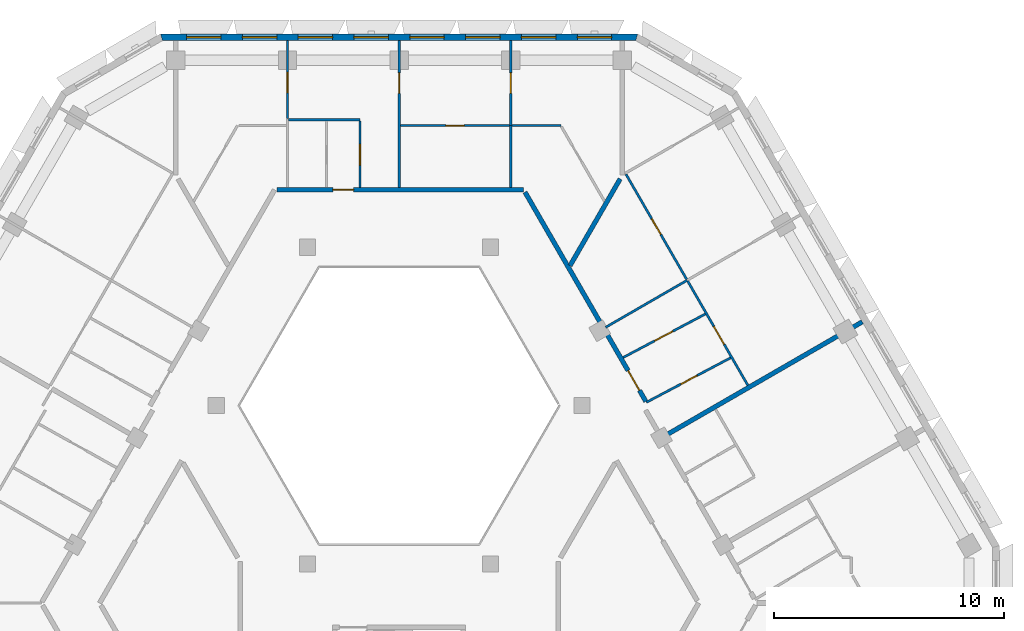
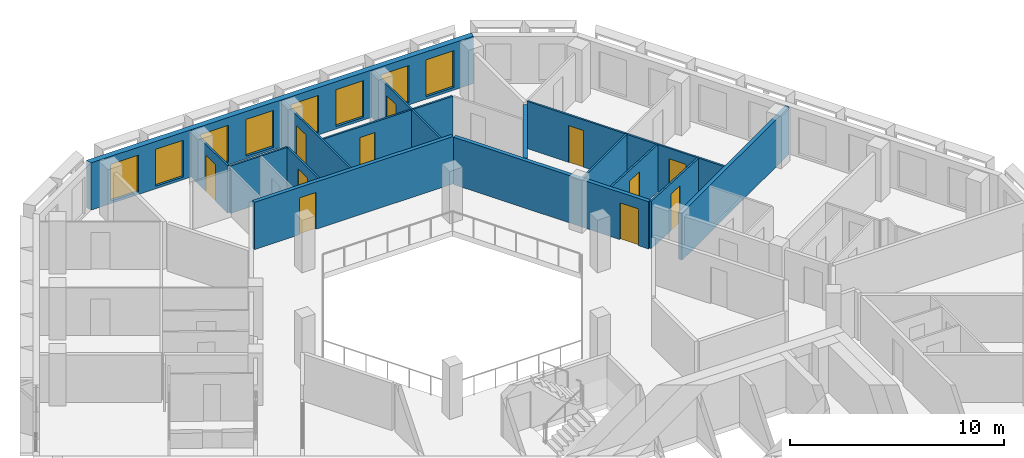
# One storey, part 8 of 18: 16 walls, 11 doors, 8 windows, 19 openings.
"""IFC4 building model written with IfcOpenShell, lengths in metres."""

import ifcopenshell
import ifcopenshell.guid

model = None  # the IFC model being written
_history = None  # IfcOwnerHistory: only IFC2X3 demands one
_inside = {}  # id of a spatial element -> (the spatial element, [elements in it])
_under = {}  # id of a project, library or spatial element -> (it, [spatial elements below it])
_declared = {}  # id of a project -> (the project, [libraries it declares])
_typed = {}  # id of a type object -> (the type object, [elements of that type])
_made_of = {}  # id of a material, layer set ... -> (it, [elements and type objects made of it])


def new_model(schema):
    """Start an empty IFC model of exactly this schema.

    Asked for "IFC4X3", IfcOpenShell would pick the latest addendum, in which some entities
    have other attributes; the version numbers below select the first issue.
    IFC2X3 requires an IfcOwnerHistory on every rooted entity: one is made here for all.
    """
    global model, _history
    if schema == "IFC4X3":
        model = ifcopenshell.file(schema_version=(4, 3, 0, 0))
    else:
        model = ifcopenshell.file(schema=schema)
    _inside.clear()
    _under.clear()
    _declared.clear()
    _typed.clear()
    _made_of.clear()
    _history = None
    if model.schema == "IFC2X3":
        org = make("IfcOrganization", Name="unknown")
        user = make(
            "IfcPersonAndOrganization",
            ThePerson=make("IfcPerson", FamilyName="unknown"),
            TheOrganization=org,
        )
        app = make(
            "IfcApplication",
            ApplicationDeveloper=org,
            Version="unknown",
            ApplicationFullName="unknown",
            ApplicationIdentifier="unknown",
        )
        _history = make(
            "IfcOwnerHistory",
            OwningUser=user,
            OwningApplication=app,
            ChangeAction="ADDED",
            CreationDate=0,
        )
    return model


def make(cls, **values):
    """One entity of the class cls with the attributes given. An attribute that is None is left unset."""
    return model.create_entity(
        cls, **{name: value for name, value in values.items() if value is not None}
    )


def rooted(cls, **values):
    """An entity with a GlobalId (a new one), such as an element, a storey or a relation."""
    return make(cls, GlobalId=ifcopenshell.guid.new(), OwnerHistory=_history, **values)


def si_unit(unit_type, name, prefix=None):
    """IfcSIUnit, for example si_unit("LENGTHUNIT", "METRE", prefix="MILLI")."""
    return make("IfcSIUnit", UnitType=unit_type, Prefix=prefix, Name=name)


def assignment(units):
    """IfcUnitAssignment: the units of a project."""
    return None if units is None else make("IfcUnitAssignment", Units=units)


def point(xyz):
    """IfcCartesianPoint."""
    return None if xyz is None else make("IfcCartesianPoint", Coordinates=xyz)


def direction(xyz):
    """IfcDirection."""
    return None if xyz is None else make("IfcDirection", DirectionRatios=xyz)


def frame(location, z_axis=None, x_axis=None):
    """IfcAxis2Placement3D, a coordinate frame: its origin and axes. An axis left out is left unset."""
    return make(
        "IfcAxis2Placement3D",
        Location=point(location),
        Axis=direction(z_axis),
        RefDirection=direction(x_axis),
    )


def frame_2d(location, x_axis=None):
    """IfcAxis2Placement2D, a coordinate frame in the plane: its origin and x axis."""
    return make(
        "IfcAxis2Placement2D", Location=point(location), RefDirection=direction(x_axis)
    )


def origin():
    """The frame at (0, 0, 0) with its axes left unset."""
    return frame((0.0, 0.0, 0.0))


def place(relative_to, where):
    """IfcLocalPlacement: puts the frame where relative to a parent placement (None: the world)."""
    return make(
        "IfcLocalPlacement", PlacementRelTo=relative_to, RelativePlacement=where
    )


def context(
    kind, dimensions, precision=None, world=None, true_north=None, identifier=None
):
    """IfcGeometricRepresentationContext, for example the 3D "Model" context."""
    return make(
        "IfcGeometricRepresentationContext",
        ContextIdentifier=identifier,
        ContextType=kind,
        CoordinateSpaceDimension=dimensions,
        Precision=precision,
        WorldCoordinateSystem=world,
        TrueNorth=true_north,
    )


def subcontext(parent, identifier, kind, view, scale=None):
    """IfcGeometricRepresentationSubContext, for example "Body" below "Model"."""
    return make(
        "IfcGeometricRepresentationSubContext",
        ContextIdentifier=identifier,
        ContextType=kind,
        ParentContext=parent,
        TargetScale=scale,
        TargetView=view,
    )


def project(units=None, contexts=None):
    """IfcProject with its units and contexts."""
    return rooted(
        "IfcProject",
        Name="project",
        RepresentationContexts=contexts,
        UnitsInContext=assignment(units),
    )


def spatial(cls, under=None, at=None, **own):
    """A site, building, storey or space (cls), placed at a placement, below another one or the project."""
    s = rooted(cls, ObjectPlacement=at, **own)
    if under is not None:
        _under.setdefault(under.id(), (under, []))[1].append(s)
    return s


def polyline(points):
    """IfcPolyline through the points."""
    return make("IfcPolyline", Points=[point(p) for p in points])


def profile(cls, at=None, kind="AREA", **sizes):
    """A parametric profile (cls). Its sizes go by their IFC names, for example OverallWidth=200.0."""
    return make(cls, ProfileType=kind, Position=at, **sizes)


def rectangle(**sizes):
    """IfcRectangleProfileDef."""
    return profile("IfcRectangleProfileDef", **sizes)


def outline(outer, holes=None, kind="AREA"):
    """IfcArbitraryClosedProfileDef: a profile drawn as a closed curve; with holes, ...WithVoids."""
    if holes is None:
        return make("IfcArbitraryClosedProfileDef", ProfileType=kind, OuterCurve=outer)
    return make(
        "IfcArbitraryProfileDefWithVoids",
        ProfileType=kind,
        OuterCurve=outer,
        InnerCurves=holes,
    )


def extrude(swept, where, along, depth):
    """IfcExtrudedAreaSolid: the profile swept, set in the frame where, extruded along a direction by depth."""
    return make(
        "IfcExtrudedAreaSolid",
        SweptArea=swept,
        Position=where,
        ExtrudedDirection=direction(along),
        Depth=depth,
    )


def shape(context_of_items, identifier, shape_type, items):
    """IfcShapeRepresentation: the items that make up one representation, for example the "Body"."""
    return make(
        "IfcShapeRepresentation",
        ContextOfItems=context_of_items,
        RepresentationIdentifier=identifier,
        RepresentationType=shape_type,
        Items=items,
    )


def material(Name=None, Category=None):
    """IfcMaterial."""
    return make("IfcMaterial", Name=Name, Category=Category)


def layer(
    of_material, thickness, ventilated=None, Name=None, Category=None, Priority=None
):
    """IfcMaterialLayer: one layer of a wall or slab, of a material (None: an air gap)."""
    return make(
        "IfcMaterialLayer",
        Material=of_material,
        LayerThickness=thickness,
        IsVentilated=ventilated,
        Name=Name,
        Category=Category,
        Priority=Priority,
    )


def layer_set(layers, Name=None):
    """IfcMaterialLayerSet."""
    return make("IfcMaterialLayerSet", MaterialLayers=layers, LayerSetName=Name)


def made_of(thing, what):
    """Note that an element or type object is made of a material, layer set ...; save() writes the relation."""
    if what is not None:
        _made_of.setdefault(what.id(), (what, []))[1].append(thing)
    return thing


def type_object(cls, material=None, **own):
    """A type object (cls), such as IfcWallType, which elements share."""
    return made_of(rooted(cls, **own), material)


def element(
    cls,
    number,
    at=None,
    inside=None,
    cuts=None,
    type_object=None,
    material=None,
    context=None,
    identifier="Body",
    shape_type=None,
    held_by="IfcProductDefinitionShape",
    body=None,
    shapes=None,
    **own,
):
    """One element of the class cls, such as IfcWall. Its Tag is "e" and its number.

    at: its placement. inside: the storey or other place that contains it. cuts: it is an
    opening in that element (IfcRelVoidsElement). A single representation is given by context,
    identifier, shape_type and body (its items); several are given by shapes. held_by: the class
    of the entity that holds the representations. save() writes the other relations.
    """
    e = rooted(cls, Tag="e%d" % number, ObjectPlacement=at, **own)
    if body is not None:
        shapes = [shape(context, identifier, shape_type, body)]
    if shapes is not None:
        e.Representation = make(held_by, Representations=shapes)
    if inside is not None:
        _inside.setdefault(inside.id(), (inside, []))[1].append(e)
    if cuts is not None:
        rooted(
            "IfcRelVoidsElement", RelatingBuildingElement=cuts, RelatedOpeningElement=e
        )
    if type_object is not None:
        _typed.setdefault(type_object.id(), (type_object, []))[1].append(e)
    return made_of(e, material)


def fill(opening, filler):
    """IfcRelFillsElement: the door or window that sits in an opening."""
    return rooted(
        "IfcRelFillsElement",
        RelatingOpeningElement=opening,
        RelatedBuildingElement=filler,
    )


def aggregate(whole, parts):
    """IfcRelAggregates: a whole, such as a stair, and the parts it consists of."""
    return rooted("IfcRelAggregates", RelatingObject=whole, RelatedObjects=parts)


def save(model, path):
    """Write the relations noted so far, then the file.

    IfcRelAggregates (storeys below a building ...), IfcRelContainedInSpatialStructure (elements
    in a storey), IfcRelDefinesByType, IfcRelAssociatesMaterial and IfcRelDeclares: one each for
    every whole, place, type object, material and project.
    """
    for whole, parts in _under.values():
        aggregate(whole, parts)
    for where, things in _inside.values():
        rooted(
            "IfcRelContainedInSpatialStructure",
            RelatedElements=things,
            RelatingStructure=where,
        )
    for kind, things in _typed.values():
        rooted("IfcRelDefinesByType", RelatedObjects=things, RelatingType=kind)
    for what, things in _made_of.values():
        rooted("IfcRelAssociatesMaterial", RelatedObjects=things, RelatingMaterial=what)
    for by, libraries in _declared.values():
        rooted("IfcRelDeclares", RelatingContext=by, RelatedDefinitions=libraries)
    model.write(path)


model = new_model("IFC4")

# Units and contexts
model_context = context("Model", 3, precision=1e-05, world=origin(), true_north=direction((0.0, 1.0)))
body_context = subcontext(model_context, "Body", "Model", "MODEL_VIEW")
ifc_project = project(units=[si_unit("LENGTHUNIT", "METRE"), si_unit("AREAUNIT", "SQUARE_METRE"), si_unit("VOLUMEUNIT", "CUBIC_METRE"), si_unit("PLANEANGLEUNIT", "RADIAN"), si_unit("MASSUNIT", "GRAM", prefix="KILO")], contexts=[model_context])

# Site, building, storey
site_placement = place(None, origin())
site = spatial("IfcSite", under=ifc_project, at=site_placement, CompositionType="ELEMENT")
building_placement = place(site_placement, origin())
building = spatial("IfcBuilding", under=site, at=building_placement, Name="Beryl Residences", CompositionType="ELEMENT")
storey_placement = place(building_placement, frame((0.0, 0.0, 184.199951171875)))
storey = spatial("IfcBuildingStorey", under=building, at=storey_placement, Name="L56", CompositionType="ELEMENT", Elevation=184.199951171875)

# Wall, openings, windows
ifc_material_1 = material(Name="Composite metal panel with mineral wool insulation")
ifc_layer_1 = layer(ifc_material_1, 0.300048828125)
ifc_layer_set_1 = layer_set([ifc_layer_1], Name="ES1 pale metal composite panel wall 300 mm")
wall_type_1 = type_object("IfcWallType", Name="ES1 pale metal composite panel wall 300 mm", PredefinedType="SOLIDWALL", material=ifc_layer_set_1)
wall_1_placement = place(storey_placement, frame((10.39208984375, 24.050048828125, 0.0), z_axis=(0.0, 0.0, 1.0), x_axis=(-1.0, 0.0, 0.0)))
wall_1 = element("IfcWall", 1, at=wall_1_placement, inside=storey, type_object=wall_type_1, Name="ES1 external wall L56 N", PredefinedType="SOLIDWALL", context=body_context, shape_type="SweptSolid", body=[
    extrude(outline(polyline([(0.0, -0.14990234375), (20.7841796875, -0.14990234375), (20.703857421875, 0.14990234375), (0.080322265625, 0.14990234375), (0.0, -0.14990234375)])), origin(), (0.0, 0.0, 1.0), 2.699951171875),
])
opening_1_placement = place(wall_1_placement, frame((1.1298828125, 0.0, 0.14990234375)))
opening_1 = element("IfcOpeningElement", 2, at=opening_1_placement, cuts=wall_1, Name="Opening W1", PredefinedType="OPENING", context=body_context, shape_type="SweptSolid", body=[
    extrude(rectangle(XDim=1.5, YDim=2.10009765625, at=frame_2d((0.75, 1.050048828125))), frame((0.0, 0.159912109375, 0.0), z_axis=(0.0, -1.0, 0.0), x_axis=(1.0, 0.0, 0.0)), (0.0, 0.0, 1.0), 0.320068359375),
])
opening_2_placement = place(wall_1_placement, frame((3.56201171875, 0.0, 0.14990234375)))
opening_2 = element("IfcOpeningElement", 3, at=opening_2_placement, cuts=wall_1, Name="Opening W1", PredefinedType="OPENING", context=body_context, shape_type="SweptSolid", body=[
    extrude(rectangle(XDim=1.5, YDim=2.10009765625, at=frame_2d((0.75, 1.050048828125))), frame((0.0, 0.159912109375, 0.0), z_axis=(0.0, -1.0, 0.0), x_axis=(1.0, 0.0, 0.0)), (0.0, 0.0, 1.0), 0.320068359375),
])
opening_3_placement = place(wall_1_placement, frame((5.993896484375, 0.0, 0.14990234375)))
opening_3 = element("IfcOpeningElement", 4, at=opening_3_placement, cuts=wall_1, Name="Opening W1", PredefinedType="OPENING", context=body_context, shape_type="SweptSolid", body=[
    extrude(rectangle(XDim=1.5, YDim=2.10009765625, at=frame_2d((0.75, 1.050048828125))), frame((0.0, 0.159912109375, 0.0), z_axis=(0.0, -1.0, 0.0), x_axis=(1.0, 0.0, 0.0)), (0.0, 0.0, 1.0), 0.320068359375),
])
opening_4_placement = place(wall_1_placement, frame((8.426025390625, 0.0, 0.14990234375)))
opening_4 = element("IfcOpeningElement", 5, at=opening_4_placement, cuts=wall_1, Name="Opening W1", PredefinedType="OPENING", context=body_context, shape_type="SweptSolid", body=[
    extrude(rectangle(XDim=1.5, YDim=2.10009765625, at=frame_2d((0.75, 1.050048828125))), frame((0.0, 0.159912109375, 0.0), z_axis=(0.0, -1.0, 0.0), x_axis=(1.0, 0.0, 0.0)), (0.0, 0.0, 1.0), 0.320068359375),
])
opening_5_placement = place(wall_1_placement, frame((10.85791015625, 0.0, 0.14990234375)))
opening_5 = element("IfcOpeningElement", 6, at=opening_5_placement, cuts=wall_1, Name="Opening W1", PredefinedType="OPENING", context=body_context, shape_type="SweptSolid", body=[
    extrude(rectangle(XDim=1.5, YDim=2.10009765625, at=frame_2d((0.75, 1.050048828125))), frame((0.0, 0.159912109375, 0.0), z_axis=(0.0, -1.0, 0.0), x_axis=(1.0, 0.0, 0.0)), (0.0, 0.0, 1.0), 0.320068359375),
])
opening_6_placement = place(wall_1_placement, frame((13.2900390625, 0.0, 0.14990234375)))
opening_6 = element("IfcOpeningElement", 7, at=opening_6_placement, cuts=wall_1, Name="Opening W1", PredefinedType="OPENING", context=body_context, shape_type="SweptSolid", body=[
    extrude(rectangle(XDim=1.5, YDim=2.10009765625, at=frame_2d((0.75, 1.050048828125))), frame((0.0, 0.159912109375, 0.0), z_axis=(0.0, -1.0, 0.0), x_axis=(1.0, 0.0, 0.0)), (0.0, 0.0, 1.0), 0.320068359375),
])
opening_7_placement = place(wall_1_placement, frame((15.721923828125, 0.0, 0.14990234375)))
opening_7 = element("IfcOpeningElement", 8, at=opening_7_placement, cuts=wall_1, Name="Opening W1", PredefinedType="OPENING", context=body_context, shape_type="SweptSolid", body=[
    extrude(rectangle(XDim=1.5, YDim=2.10009765625, at=frame_2d((0.75, 1.050048828125))), frame((0.0, 0.159912109375, 0.0), z_axis=(0.0, -1.0, 0.0), x_axis=(1.0, 0.0, 0.0)), (0.0, 0.0, 1.0), 0.320068359375),
])
opening_8_placement = place(wall_1_placement, frame((18.154052734375, 0.0, 0.14990234375)))
opening_8 = element("IfcOpeningElement", 9, at=opening_8_placement, cuts=wall_1, Name="Opening W1", PredefinedType="OPENING", context=body_context, shape_type="SweptSolid", body=[
    extrude(rectangle(XDim=1.5, YDim=2.10009765625, at=frame_2d((0.75, 1.050048828125))), frame((0.0, 0.159912109375, 0.0), z_axis=(0.0, -1.0, 0.0), x_axis=(1.0, 0.0, 0.0)), (0.0, 0.0, 1.0), 0.320068359375),
])
ifc_material_2 = material(Name="Aluminium and clear glass", Category="aluminium")
window_type = type_object("IfcWindowType", Name="W1 cell window 1500 x 2100 mm", PartitioningType="SINGLE_PANEL", PredefinedType="WINDOW", material=ifc_material_2)
window_1_placement = place(opening_1_placement, origin())
window_1 = element("IfcWindow", 10, at=window_1_placement, inside=storey, type_object=window_type, Name="W1 window L56 N 1", OverallHeight=2.10009765625, OverallWidth=1.5, PartitioningType="SINGLE_PANEL", PredefinedType="WINDOW", context=body_context, shape_type="SweptSolid", body=[
    extrude(rectangle(XDim=1.5, YDim=2.10009765625, at=frame_2d((0.75, 1.050048828125))), frame((0.0, 0.030029296875, 0.0), z_axis=(0.0, -1.0, 0.0), x_axis=(1.0, 0.0, 0.0)), (0.0, 0.0, 1.0), 0.06005859375),
])
fill(opening_1, window_1)
window_2_placement = place(opening_2_placement, origin())
window_2 = element("IfcWindow", 11, at=window_2_placement, inside=storey, type_object=window_type, Name="W1 window L56 N 2", OverallHeight=2.10009765625, OverallWidth=1.5, PartitioningType="SINGLE_PANEL", PredefinedType="WINDOW", context=body_context, shape_type="SweptSolid", body=[
    extrude(rectangle(XDim=1.5, YDim=2.10009765625, at=frame_2d((0.75, 1.050048828125))), frame((0.0, 0.030029296875, 0.0), z_axis=(0.0, -1.0, 0.0), x_axis=(1.0, 0.0, 0.0)), (0.0, 0.0, 1.0), 0.06005859375),
])
fill(opening_2, window_2)
window_3_placement = place(opening_3_placement, origin())
window_3 = element("IfcWindow", 12, at=window_3_placement, inside=storey, type_object=window_type, Name="W1 window L56 N 3", OverallHeight=2.10009765625, OverallWidth=1.5, PartitioningType="SINGLE_PANEL", PredefinedType="WINDOW", context=body_context, shape_type="SweptSolid", body=[
    extrude(rectangle(XDim=1.5, YDim=2.10009765625, at=frame_2d((0.75, 1.050048828125))), frame((0.0, 0.030029296875, 0.0), z_axis=(0.0, -1.0, 0.0), x_axis=(1.0, 0.0, 0.0)), (0.0, 0.0, 1.0), 0.06005859375),
])
fill(opening_3, window_3)
window_4_placement = place(opening_4_placement, origin())
window_4 = element("IfcWindow", 13, at=window_4_placement, inside=storey, type_object=window_type, Name="W1 window L56 N 4", OverallHeight=2.10009765625, OverallWidth=1.5, PartitioningType="SINGLE_PANEL", PredefinedType="WINDOW", context=body_context, shape_type="SweptSolid", body=[
    extrude(rectangle(XDim=1.5, YDim=2.10009765625, at=frame_2d((0.75, 1.050048828125))), frame((0.0, 0.030029296875, 0.0), z_axis=(0.0, -1.0, 0.0), x_axis=(1.0, 0.0, 0.0)), (0.0, 0.0, 1.0), 0.06005859375),
])
fill(opening_4, window_4)
window_5_placement = place(opening_5_placement, origin())
window_5 = element("IfcWindow", 14, at=window_5_placement, inside=storey, type_object=window_type, Name="W1 window L56 N 5", OverallHeight=2.10009765625, OverallWidth=1.5, PartitioningType="SINGLE_PANEL", PredefinedType="WINDOW", context=body_context, shape_type="SweptSolid", body=[
    extrude(rectangle(XDim=1.5, YDim=2.10009765625, at=frame_2d((0.75, 1.050048828125))), frame((0.0, 0.030029296875, 0.0), z_axis=(0.0, -1.0, 0.0), x_axis=(1.0, 0.0, 0.0)), (0.0, 0.0, 1.0), 0.06005859375),
])
fill(opening_5, window_5)
window_6_placement = place(opening_6_placement, origin())
window_6 = element("IfcWindow", 15, at=window_6_placement, inside=storey, type_object=window_type, Name="W1 window L56 N 6", OverallHeight=2.10009765625, OverallWidth=1.5, PartitioningType="SINGLE_PANEL", PredefinedType="WINDOW", context=body_context, shape_type="SweptSolid", body=[
    extrude(rectangle(XDim=1.5, YDim=2.10009765625, at=frame_2d((0.75, 1.050048828125))), frame((0.0, 0.030029296875, 0.0), z_axis=(0.0, -1.0, 0.0), x_axis=(1.0, 0.0, 0.0)), (0.0, 0.0, 1.0), 0.06005859375),
])
fill(opening_6, window_6)
window_7_placement = place(opening_7_placement, origin())
window_7 = element("IfcWindow", 16, at=window_7_placement, inside=storey, type_object=window_type, Name="W1 window L56 N 7", OverallHeight=2.10009765625, OverallWidth=1.5, PartitioningType="SINGLE_PANEL", PredefinedType="WINDOW", context=body_context, shape_type="SweptSolid", body=[
    extrude(rectangle(XDim=1.5, YDim=2.10009765625, at=frame_2d((0.75, 1.050048828125))), frame((0.0, 0.030029296875, 0.0), z_axis=(0.0, -1.0, 0.0), x_axis=(1.0, 0.0, 0.0)), (0.0, 0.0, 1.0), 0.06005859375),
])
fill(opening_7, window_7)
window_8_placement = place(opening_8_placement, origin())
window_8 = element("IfcWindow", 17, at=window_8_placement, inside=storey, type_object=window_type, Name="W1 window L56 N 8", OverallHeight=2.10009765625, OverallWidth=1.5, PartitioningType="SINGLE_PANEL", PredefinedType="WINDOW", context=body_context, shape_type="SweptSolid", body=[
    extrude(rectangle(XDim=1.5, YDim=2.10009765625, at=frame_2d((0.75, 1.050048828125))), frame((0.0, 0.030029296875, 0.0), z_axis=(0.0, -1.0, 0.0), x_axis=(1.0, 0.0, 0.0)), (0.0, 0.0, 1.0), 0.06005859375),
])
fill(opening_8, window_8)

# Wall, openings, doors
ifc_material_3 = material(Name="Gypsum board partition on steel studs", Category="steel")
ifc_layer_2 = layer(ifc_material_3, 0.10009765625)
ifc_layer_set_2 = layer_set([ifc_layer_2], Name="PT1 partition 100 mm gypsum board on steel studs")
wall_type_2 = type_object("IfcWallType", Name="PT1 partition 100 mm gypsum board on steel studs", PredefinedType="PARTITIONING", material=ifc_layer_set_2)
wall_2_placement = place(storey_placement, frame((9.883056640625, 18.08203125, 0.0), z_axis=(0.0, 0.0, 1.0), x_axis=(0.500004428835, -0.86602284678, 0.0)))
wall_2 = element("IfcWall", 18, at=wall_2_placement, inside=storey, type_object=wall_type_2, Name="Wall PT1 L56 006", PredefinedType="PARTITIONING", context=body_context, shape_type="SweptSolid", body=[
    extrude(rectangle(XDim=10.61767578125, YDim=0.10009765625, at=frame_2d((5.308837890625, 0.0))), origin(), (0.0, 0.0, 1.0), 2.699951171875),
])
opening_9_placement = place(wall_2_placement, frame((7.656982421875, 0.0, 0.0)))
opening_9 = element("IfcOpeningElement", 19, at=opening_9_placement, cuts=wall_2, Name="Opening D1504", PredefinedType="OPENING", context=body_context, shape_type="SweptSolid", body=[
    extrude(rectangle(XDim=0.89990234375, YDim=2.10009765625, at=frame_2d((0.449951171875, 1.050048828125))), frame((0.0, 0.06005859375, 0.0), z_axis=(0.0, -1.0, 0.0), x_axis=(1.0, 0.0, 0.0)), (0.0, 0.0, 1.0), 0.1201171875),
])
opening_10_placement = place(wall_2_placement, frame((2.241943359375, 0.0, 0.0)))
opening_10 = element("IfcOpeningElement", 20, at=opening_10_placement, cuts=wall_2, Name="Opening D1507", PredefinedType="OPENING", context=body_context, shape_type="SweptSolid", body=[
    extrude(rectangle(XDim=0.800048828125, YDim=2.10009765625, at=frame_2d((0.39990234375, 1.050048828125))), frame((0.0, 0.06005859375, 0.0), z_axis=(0.0, -1.0, 0.0), x_axis=(1.0, 0.0, 0.0)), (0.0, 0.0, 1.0), 0.1201171875),
])
ifc_material_4 = material(Name="Timber door leaf", Category="wood")
door_type_1 = type_object("IfcDoorType", Name="D2 room door 900 x 2100 mm", OperationType="SINGLE_SWING_LEFT", PredefinedType="DOOR", material=ifc_material_4)
door_1_placement = place(opening_9_placement, origin())
door_1 = element("IfcDoor", 21, at=door_1_placement, inside=storey, type_object=door_type_1, Name="Door D1504 L56 001", OperationType="SINGLE_SWING_RIGHT", OverallHeight=2.10009765625, OverallWidth=0.89990234375, PredefinedType="DOOR", context=body_context, shape_type="SweptSolid", body=[
    extrude(rectangle(XDim=0.89990234375, YDim=2.10009765625, at=frame_2d((0.449951171875, 1.050048828125))), frame((0.0, 0.02490234375, 0.0), z_axis=(0.0, -1.0, 0.0), x_axis=(1.0, 0.0, 0.0)), (0.0, 0.0, 1.0), 0.050048828125),
])
fill(opening_9, door_1)
ifc_material_5 = material(Name="Timber door leaf", Category="wood")
door_type_2 = type_object("IfcDoorType", Name="D3 bathroom door 800 x 2100 mm", OperationType="SINGLE_SWING_LEFT", PredefinedType="DOOR", material=ifc_material_5)
door_2_placement = place(opening_10_placement, origin())
door_2 = element("IfcDoor", 22, at=door_2_placement, inside=storey, type_object=door_type_2, Name="Door D1507 L56 001", OperationType="SINGLE_SWING_LEFT", OverallHeight=2.10009765625, OverallWidth=0.800048828125, PredefinedType="DOOR", context=body_context, shape_type="SweptSolid", body=[
    extrude(rectangle(XDim=0.800048828125, YDim=2.10009765625, at=frame_2d((0.39990234375, 1.050048828125))), frame((0.0, 0.02490234375, 0.0), z_axis=(0.0, -1.0, 0.0), x_axis=(1.0, 0.0, 0.0)), (0.0, 0.0, 1.0), 0.050048828125),
])
fill(opening_10, door_2)

# Wall, opening, door
wall_3_placement = place(storey_placement, frame((-4.864013671875, 23.89990234375, 0.0), z_axis=(0.0, 0.0, 1.0), x_axis=(0.0, -1.0, 0.0)))
wall_3 = element("IfcWall", 23, at=wall_3_placement, inside=storey, type_object=wall_type_2, Name="Wall PT1 L56 007", PredefinedType="PARTITIONING", context=body_context, shape_type="SweptSolid", body=[
    extrude(rectangle(XDim=3.389892578125, YDim=0.10009765625, at=frame_2d((1.69482421875, 0.0))), origin(), (0.0, 0.0, 1.0), 2.699951171875),
])
opening_11_placement = place(wall_3_placement, frame((1.3701171875, 0.0, 0.0)))
opening_11 = element("IfcOpeningElement", 24, at=opening_11_placement, cuts=wall_3, Name="Opening D1512", PredefinedType="OPENING", context=body_context, shape_type="SweptSolid", body=[
    extrude(rectangle(XDim=0.89990234375, YDim=2.10009765625, at=frame_2d((0.449951171875, 1.050048828125))), frame((0.0, 0.06005859375, 0.0), z_axis=(0.0, -1.0, 0.0), x_axis=(1.0, 0.0, 0.0)), (0.0, 0.0, 1.0), 0.1201171875),
])
door_3_placement = place(opening_11_placement, origin())
door_3 = element("IfcDoor", 25, at=door_3_placement, inside=storey, type_object=door_type_1, Name="Door D1512 L56 001", OperationType="SINGLE_SWING_RIGHT", OverallHeight=2.10009765625, OverallWidth=0.89990234375, PredefinedType="DOOR", context=body_context, shape_type="SweptSolid", body=[
    extrude(rectangle(XDim=0.89990234375, YDim=2.10009765625, at=frame_2d((0.449951171875, 1.050048828125))), frame((0.0, 0.02490234375, 0.0), z_axis=(0.0, -1.0, 0.0), x_axis=(1.0, 0.0, 0.0)), (0.0, 0.0, 1.0), 0.050048828125),
])
fill(opening_11, door_3)

wall_4_placement = place(storey_placement, frame((-1.701904296875, 20.408935546875, 0.0), z_axis=(0.0, 0.0, 1.0), x_axis=(0.0, -1.0, 0.0)))
wall_4 = element("IfcWall", 26, at=wall_4_placement, inside=storey, type_object=wall_type_2, Name="Wall PT1 L56 008", PredefinedType="PARTITIONING", context=body_context, shape_type="SweptSolid", body=[
    extrude(rectangle(XDim=2.908935546875, YDim=0.10009765625, at=frame_2d((1.45458984375, 0.0))), origin(), (0.0, 0.0, 1.0), 2.699951171875),
])
opening_12_placement = place(wall_4_placement, frame((1.029052734375, 0.0, 0.0)))
opening_12 = element("IfcOpeningElement", 27, at=opening_12_placement, cuts=wall_4, Name="Opening D1509", PredefinedType="OPENING", context=body_context, shape_type="SweptSolid", body=[
    extrude(rectangle(XDim=0.89990234375, YDim=2.10009765625, at=frame_2d((0.449951171875, 1.050048828125))), frame((0.0, 0.06005859375, 0.0), z_axis=(0.0, -1.0, 0.0), x_axis=(1.0, 0.0, 0.0)), (0.0, 0.0, 1.0), 0.1201171875),
])
door_4_placement = place(opening_12_placement, origin())
door_4 = element("IfcDoor", 28, at=door_4_placement, inside=storey, type_object=door_type_1, Name="Door D1509 L56 001", OperationType="SINGLE_SWING_LEFT", OverallHeight=2.10009765625, OverallWidth=0.89990234375, PredefinedType="DOOR", context=body_context, shape_type="SweptSolid", body=[
    extrude(rectangle(XDim=0.89990234375, YDim=2.10009765625, at=frame_2d((0.449951171875, 1.050048828125))), frame((0.0, 0.02490234375, 0.0), z_axis=(0.0, -1.0, 0.0), x_axis=(1.0, 0.0, 0.0)), (0.0, 0.0, 1.0), 0.050048828125),
])
fill(opening_12, door_4)

wall_5_placement = place(storey_placement, frame((0.050048828125, 20.199951171875, 0.0), z_axis=(0.0, 0.0, 1.0), x_axis=(1.0, 0.0, 0.0)))
wall_5 = element("IfcWall", 29, at=wall_5_placement, inside=storey, type_object=wall_type_2, Name="Wall PT1 L56 024", PredefinedType="PARTITIONING", context=body_context, shape_type="SweptSolid", body=[
    extrude(rectangle(XDim=6.992919921875, YDim=0.10009765625, at=frame_2d((3.49658203125, 0.0))), origin(), (0.0, 0.0, 1.0), 2.699951171875),
])
opening_13_placement = place(wall_5_placement, frame((1.98193359375, 0.0, 0.0)))
opening_13 = element("IfcOpeningElement", 30, at=opening_13_placement, cuts=wall_5, Name="Opening D1515", PredefinedType="OPENING", context=body_context, shape_type="SweptSolid", body=[
    extrude(rectangle(XDim=0.800048828125, YDim=2.10009765625, at=frame_2d((0.39990234375, 1.050048828125))), frame((0.0, 0.06005859375, 0.0), z_axis=(0.0, -1.0, 0.0), x_axis=(1.0, 0.0, 0.0)), (0.0, 0.0, 1.0), 0.1201171875),
])
door_5_placement = place(opening_13_placement, origin())
door_5 = element("IfcDoor", 31, at=door_5_placement, inside=storey, type_object=door_type_2, Name="Door D1515 L56 001", OperationType="SINGLE_SWING_LEFT", OverallHeight=2.10009765625, OverallWidth=0.800048828125, PredefinedType="DOOR", context=body_context, shape_type="SweptSolid", body=[
    extrude(rectangle(XDim=0.800048828125, YDim=2.10009765625, at=frame_2d((0.39990234375, 1.050048828125))), frame((0.0, 0.02490234375, 0.0), z_axis=(0.0, -1.0, 0.0), x_axis=(1.0, 0.0, 0.0)), (0.0, 0.0, 1.0), 0.050048828125),
])
fill(opening_13, door_5)

# Walls
wall_6_placement = place(storey_placement, frame((-4.81396484375, 20.4599609375, 0.0), z_axis=(0.0, 0.0, 1.0), x_axis=(1.0, 0.0, 0.0)))
element("IfcWall", 32, at=wall_6_placement, inside=storey, type_object=wall_type_2, Name="Wall PT1 L56 025", PredefinedType="PARTITIONING", context=body_context, shape_type="SweptSolid", body=[
    extrude(rectangle(XDim=3.111083984375, YDim=0.10009765625, at=frame_2d((1.5556640625, 0.0))), origin(), (0.0, 0.0, 1.0), 2.699951171875),
])
wall_7_placement = place(storey_placement, frame((4.864013671875, 17.5, 0.0), z_axis=(0.0, 0.0, 1.0), x_axis=(0.0, 1.0, 0.0)))
element("IfcWall", 33, at=wall_7_placement, inside=storey, type_object=wall_type_2, Name="Wall PT1 L56 031", PredefinedType="PARTITIONING", context=body_context, shape_type="SweptSolid", body=[
    extrude(rectangle(XDim=2.699951171875, YDim=0.10009765625, at=frame_2d((1.35009765625, 0.0))), origin(), (0.0, 0.0, 1.0), 2.699951171875),
])

# Wall, opening, door
wall_8_placement = place(storey_placement, frame((0.0, 17.5, 0.0), z_axis=(0.0, 0.0, 1.0), x_axis=(0.0, 1.0, 0.0)))
wall_8 = element("IfcWall", 34, at=wall_8_placement, inside=storey, type_object=wall_type_2, Name="Wall PT1 L56 034", PredefinedType="PARTITIONING", context=body_context, shape_type="SweptSolid", body=[
    extrude(rectangle(XDim=6.39990234375, YDim=0.10009765625, at=frame_2d((3.199951171875, 0.0))), origin(), (0.0, 0.0, 1.0), 2.699951171875),
])
opening_14_placement = place(wall_8_placement, frame((4.10009765625, 0.0, 0.0)))
opening_14 = element("IfcOpeningElement", 35, at=opening_14_placement, cuts=wall_8, Name="Opening D1511", PredefinedType="OPENING", context=body_context, shape_type="SweptSolid", body=[
    extrude(rectangle(XDim=0.89990234375, YDim=2.10009765625, at=frame_2d((0.449951171875, 1.050048828125))), frame((0.0, 0.06005859375, 0.0), z_axis=(0.0, -1.0, 0.0), x_axis=(1.0, 0.0, 0.0)), (0.0, 0.0, 1.0), 0.1201171875),
])
door_6_placement = place(opening_14_placement, origin())
door_6 = element("IfcDoor", 36, at=door_6_placement, inside=storey, type_object=door_type_1, Name="Door D1511 L56 001", OperationType="SINGLE_SWING_LEFT", OverallHeight=2.10009765625, OverallWidth=0.89990234375, PredefinedType="DOOR", context=body_context, shape_type="SweptSolid", body=[
    extrude(rectangle(XDim=0.89990234375, YDim=2.10009765625, at=frame_2d((0.449951171875, 1.050048828125))), frame((0.0, 0.02490234375, 0.0), z_axis=(0.0, -1.0, 0.0), x_axis=(1.0, 0.0, 0.0)), (0.0, 0.0, 1.0), 0.050048828125),
])
fill(opening_14, door_6)

wall_9_placement = place(storey_placement, frame((9.760009765625, 10.095947265625, 0.0), z_axis=(0.0, 0.0, 1.0), x_axis=(0.883925629136, 0.467627503636, 0.0)))
wall_9 = element("IfcWall", 37, at=wall_9_placement, inside=storey, type_object=wall_type_2, Name="Wall PT1 L56 040", PredefinedType="PARTITIONING", context=body_context, shape_type="SweptSolid", body=[
    extrude(rectangle(XDim=4.052490234375, YDim=0.10009765625, at=frame_2d((2.0263671875, 0.0))), origin(), (0.0, 0.0, 1.0), 2.699951171875),
])
opening_15_placement = place(wall_9_placement, frame((1.551025390625, 0.0, 0.0)))
opening_15 = element("IfcOpeningElement", 38, at=opening_15_placement, cuts=wall_9, Name="Opening D1503", PredefinedType="OPENING", context=body_context, shape_type="SweptSolid", body=[
    extrude(rectangle(XDim=0.89990234375, YDim=2.10009765625, at=frame_2d((0.449951171875, 1.050048828125))), frame((0.0, 0.06005859375, 0.0), z_axis=(0.0, -1.0, 0.0), x_axis=(1.0, 0.0, 0.0)), (0.0, 0.0, 1.0), 0.1201171875),
])
door_7_placement = place(opening_15_placement, origin())
door_7 = element("IfcDoor", 39, at=door_7_placement, inside=storey, type_object=door_type_1, Name="Door D1503 L56 001", OperationType="SINGLE_SWING_LEFT", OverallHeight=2.10009765625, OverallWidth=0.89990234375, PredefinedType="DOOR", context=body_context, shape_type="SweptSolid", body=[
    extrude(rectangle(XDim=0.89990234375, YDim=2.10009765625, at=frame_2d((0.449951171875, 1.050048828125))), frame((0.0, 0.02490234375, 0.0), z_axis=(0.0, -1.0, 0.0), x_axis=(1.0, 0.0, 0.0)), (0.0, 0.0, 1.0), 0.050048828125),
])
fill(opening_15, door_7)

wall_10_placement = place(storey_placement, frame((10.77197265625, 8.14306640625, 0.0), z_axis=(0.0, 0.0, 1.0), x_axis=(0.884049480227, 0.467393320995, 0.0)))
wall_10 = element("IfcWall", 40, at=wall_10_placement, inside=storey, type_object=wall_type_2, Name="Wall PT1 L56 041", PredefinedType="PARTITIONING", context=body_context, shape_type="SweptSolid", body=[
    extrude(rectangle(XDim=4.152587890625, YDim=0.10009765625, at=frame_2d((2.076171875, 0.0))), origin(), (0.0, 0.0, 1.0), 2.699951171875),
])
opening_16_placement = place(wall_10_placement, frame((1.700927734375, 0.0, 0.0)))
opening_16 = element("IfcOpeningElement", 41, at=opening_16_placement, cuts=wall_10, Name="Opening D1502", PredefinedType="OPENING", context=body_context, shape_type="SweptSolid", body=[
    extrude(rectangle(XDim=0.800048828125, YDim=2.10009765625, at=frame_2d((0.39990234375, 1.050048828125))), frame((0.0, 0.06005859375, 0.0), z_axis=(0.0, -1.0, 0.0), x_axis=(1.0, 0.0, 0.0)), (0.0, 0.0, 1.0), 0.1201171875),
])
door_8_placement = place(opening_16_placement, origin())
door_8 = element("IfcDoor", 42, at=door_8_placement, inside=storey, type_object=door_type_2, Name="Door D1502 L56 001", OperationType="SINGLE_SWING_RIGHT", OverallHeight=2.10009765625, OverallWidth=0.800048828125, PredefinedType="DOOR", context=body_context, shape_type="SweptSolid", body=[
    extrude(rectangle(XDim=0.800048828125, YDim=2.10009765625, at=frame_2d((0.39990234375, 1.050048828125))), frame((0.0, 0.02490234375, 0.0), z_axis=(0.0, -1.0, 0.0), x_axis=(1.0, 0.0, 0.0)), (0.0, 0.0, 1.0), 0.050048828125),
])
fill(opening_16, door_8)

# Wall
wall_11_placement = place(storey_placement, frame((8.9990234375, 11.4130859375, 0.0), z_axis=(0.0, 0.0, 1.0), x_axis=(0.86606561423, 0.499930346997, 0.0)))
element("IfcWall", 43, at=wall_11_placement, inside=storey, type_object=wall_type_2, Name="Wall PT1 L56 044", PredefinedType="PARTITIONING", context=body_context, shape_type="SweptSolid", body=[
    extrude(rectangle(XDim=4.10009765625, YDim=0.10009765625, at=frame_2d((2.050048828125, 0.0))), origin(), (0.0, 0.0, 1.0), 2.699951171875),
])

# Wall, opening, door
wall_12_placement = place(storey_placement, frame((4.864013671875, 20.199951171875, 0.0), z_axis=(0.0, 0.0, 1.0), x_axis=(0.0, 1.0, 0.0)))
wall_12 = element("IfcWall", 44, at=wall_12_placement, inside=storey, type_object=wall_type_2, Name="Wall PT1 L56 051", PredefinedType="PARTITIONING", context=body_context, shape_type="SweptSolid", body=[
    extrude(rectangle(XDim=3.699951171875, YDim=0.10009765625, at=frame_2d((1.85009765625, 0.0))), origin(), (0.0, 0.0, 1.0), 2.699951171875),
])
opening_17_placement = place(wall_12_placement, frame((1.39990234375, 0.0, 0.0)))
opening_17 = element("IfcOpeningElement", 45, at=opening_17_placement, cuts=wall_12, Name="Opening D1513", PredefinedType="OPENING", context=body_context, shape_type="SweptSolid", body=[
    extrude(rectangle(XDim=0.89990234375, YDim=2.10009765625, at=frame_2d((0.449951171875, 1.050048828125))), frame((0.0, 0.06005859375, 0.0), z_axis=(0.0, -1.0, 0.0), x_axis=(1.0, 0.0, 0.0)), (0.0, 0.0, 1.0), 0.1201171875),
])
door_9_placement = place(opening_17_placement, origin())
door_9 = element("IfcDoor", 46, at=door_9_placement, inside=storey, type_object=door_type_1, Name="Door D1513 L56 001", OperationType="SINGLE_SWING_LEFT", OverallHeight=2.10009765625, OverallWidth=0.89990234375, PredefinedType="DOOR", context=body_context, shape_type="SweptSolid", body=[
    extrude(rectangle(XDim=0.89990234375, YDim=2.10009765625, at=frame_2d((0.449951171875, 1.050048828125))), frame((0.0, 0.02490234375, 0.0), z_axis=(0.0, -1.0, 0.0), x_axis=(1.0, 0.0, 0.0)), (0.0, 0.0, 1.0), 0.050048828125),
])
fill(opening_17, door_9)

# Walls
ifc_material_6 = material(Name="Acoustic double stud gypsum board wall")
ifc_layer_3 = layer(ifc_material_6, 0.199951171875)
ifc_layer_set_3 = layer_set([ifc_layer_3], Name="PT3 party wall 200 mm acoustic double stud")
wall_type_3 = type_object("IfcWallType", Name="PT3 party wall 200 mm acoustic double stud", PredefinedType="PARTITIONING", material=ifc_layer_set_3)
wall_13_placement = place(storey_placement, frame((7.447998046875, 14.10009765625, 0.0), z_axis=(0.0, 0.0, 1.0), x_axis=(0.499961462843, 0.866047652079, 0.0)))
element("IfcWall", 47, at=wall_13_placement, inside=storey, type_object=wall_type_3, Name="Wall PT3 L56 008", PredefinedType="PARTITIONING", context=body_context, shape_type="SweptSolid", body=[
    extrude(rectangle(XDim=4.362060546875, YDim=0.199951171875, at=frame_2d((2.18115234375, 0.0))), origin(), (0.0, 0.0, 1.0), 2.699951171875),
])
wall_14_placement = place(storey_placement, frame((11.51806640625, 6.64990234375, 0.0), z_axis=(0.0, 0.0, 1.0), x_axis=(0.866016855193, 0.500014806302, 0.0)))
element("IfcWall", 48, at=wall_14_placement, inside=storey, type_object=wall_type_3, Name="Wall PT3 L56 012", PredefinedType="PARTITIONING", context=body_context, shape_type="SweptSolid", body=[
    extrude(rectangle(XDim=9.999755859375, YDim=0.199951171875, at=frame_2d((5.0, 0.0))), origin(), (0.0, 0.0, 1.0), 2.699951171875),
])

# Wall, opening, door
ifc_material_7 = material(Name="Double stud gypsum board wall")
ifc_layer_4 = layer(ifc_material_7, 0.199951171875)
ifc_layer_set_4 = layer_set([ifc_layer_4], Name="PT4 corridor wall 200 mm double stud")
wall_type_4 = type_object("IfcWallType", Name="PT4 corridor wall 200 mm double stud", PredefinedType="PARTITIONING", material=ifc_layer_set_4)
wall_15_placement = place(storey_placement, frame((5.485107421875, 17.300048828125, 0.0), z_axis=(0.0, 0.0, 1.0), x_axis=(0.499998905622, -0.866026035623, 0.0)))
wall_15 = element("IfcWall", 49, at=wall_15_placement, inside=storey, type_object=wall_type_4, Name="Wall PT4 L56 006", PredefinedType="PARTITIONING", context=body_context, shape_type="SweptSolid", body=[
    extrude(rectangle(XDim=10.52392578125, YDim=0.199951171875, at=frame_2d((5.261962890625, 0.0))), origin(), (0.0, 0.0, 1.0), 2.699951171875),
])
opening_18_placement = place(wall_15_placement, frame((8.97412109375, 0.0, 0.0)))
opening_18 = element("IfcOpeningElement", 50, at=opening_18_placement, cuts=wall_15, Name="Opening D1501", PredefinedType="OPENING", context=body_context, shape_type="SweptSolid", body=[
    extrude(rectangle(XDim=1.0, YDim=2.10009765625, at=frame_2d((0.5, 1.050048828125))), frame((0.0, 0.10986328125, 0.0), z_axis=(0.0, -1.0, 0.0), x_axis=(1.0, 0.0, 0.0)), (0.0, 0.0, 1.0), 0.219970703125),
])
ifc_material_8 = material(Name="Timber door leaf", Category="wood")
door_type_3 = type_object("IfcDoorType", Name="D1 flat entrance door 1000 x 2100 mm", OperationType="SINGLE_SWING_LEFT", PredefinedType="DOOR", material=ifc_material_8)
door_10_placement = place(opening_18_placement, origin())
door_10 = element("IfcDoor", 51, at=door_10_placement, inside=storey, type_object=door_type_3, Name="Door D1501 L56 001", OperationType="SINGLE_SWING_LEFT", OverallHeight=2.10009765625, OverallWidth=1.0, PredefinedType="DOOR", context=body_context, shape_type="SweptSolid", body=[
    extrude(rectangle(XDim=1.0, YDim=2.10009765625, at=frame_2d((0.5, 1.050048828125))), frame((0.0, 0.02490234375, 0.0), z_axis=(0.0, -1.0, 0.0), x_axis=(1.0, 0.0, 0.0)), (0.0, 0.0, 1.0), 0.050048828125),
])
fill(opening_18, door_10)

wall_16_placement = place(storey_placement, frame((-5.31103515625, 17.39990234375, 0.0), z_axis=(0.0, 0.0, 1.0), x_axis=(1.0, 0.0, 0.0)))
wall_16 = element("IfcWall", 52, at=wall_16_placement, inside=storey, type_object=wall_type_4, Name="Wall PT4 L56 014", PredefinedType="PARTITIONING", context=body_context, shape_type="SweptSolid", body=[
    extrude(rectangle(XDim=10.737060546875, YDim=0.199951171875, at=frame_2d((5.36865234375, 0.0))), origin(), (0.0, 0.0, 1.0), 2.699951171875),
])
opening_19_placement = place(wall_16_placement, frame((2.428955078125, 0.0, 0.0)))
opening_19 = element("IfcOpeningElement", 53, at=opening_19_placement, cuts=wall_16, Name="Opening D1508", PredefinedType="OPENING", context=body_context, shape_type="SweptSolid", body=[
    extrude(rectangle(XDim=0.89990234375, YDim=2.10009765625, at=frame_2d((0.449951171875, 1.050048828125))), frame((0.0, 0.10986328125, 0.0), z_axis=(0.0, -1.0, 0.0), x_axis=(1.0, 0.0, 0.0)), (0.0, 0.0, 1.0), 0.219970703125),
])
ifc_material_9 = material(Name="Timber door leaf", Category="wood")
door_type_4 = type_object("IfcDoorType", Name="D11 flat entrance door 900 x 2100 mm", OperationType="SINGLE_SWING_LEFT", PredefinedType="DOOR", material=ifc_material_9)
door_11_placement = place(opening_19_placement, origin())
door_11 = element("IfcDoor", 54, at=door_11_placement, inside=storey, type_object=door_type_4, Name="Door D1508 L56 001", OperationType="SINGLE_SWING_RIGHT", OverallHeight=2.10009765625, OverallWidth=0.89990234375, PredefinedType="DOOR", context=body_context, shape_type="SweptSolid", body=[
    extrude(rectangle(XDim=0.89990234375, YDim=2.10009765625, at=frame_2d((0.449951171875, 1.050048828125))), frame((0.0, 0.02490234375, 0.0), z_axis=(0.0, -1.0, 0.0), x_axis=(1.0, 0.0, 0.0)), (0.0, 0.0, 1.0), 0.050048828125),
])
fill(opening_19, door_11)

save(model, "model.ifc")
